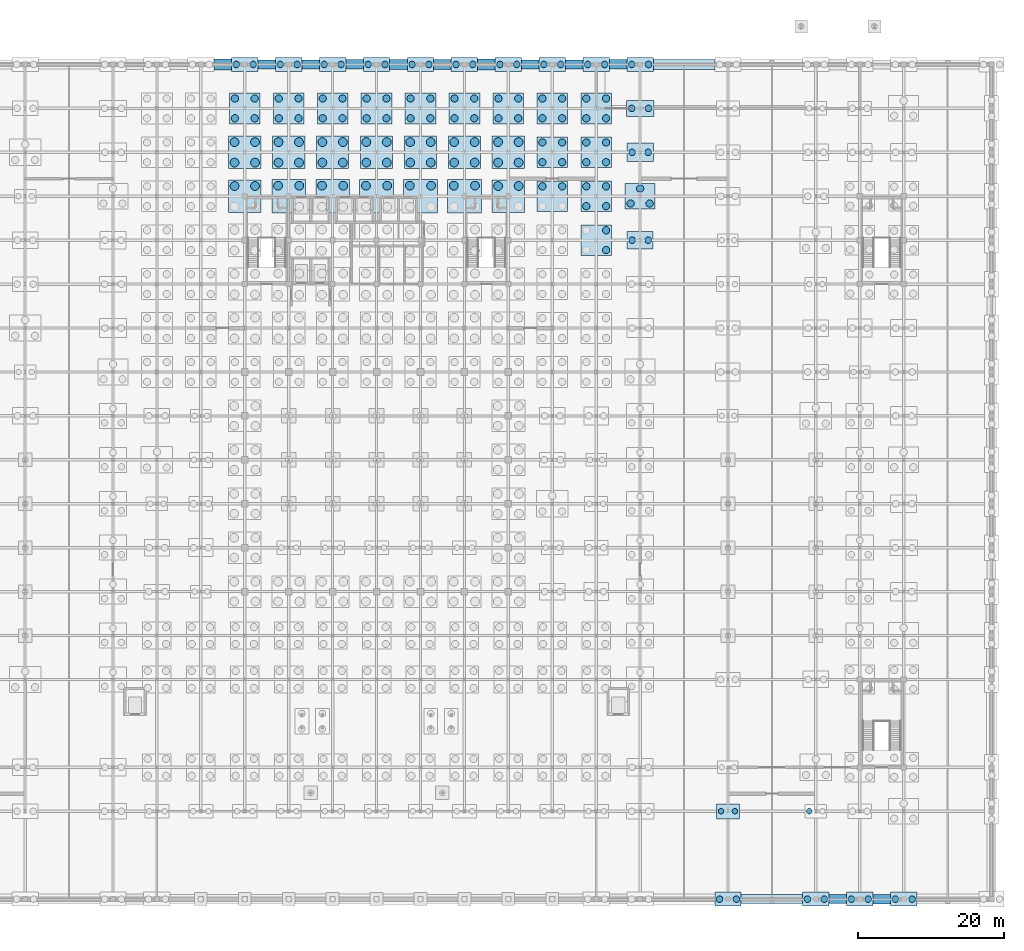
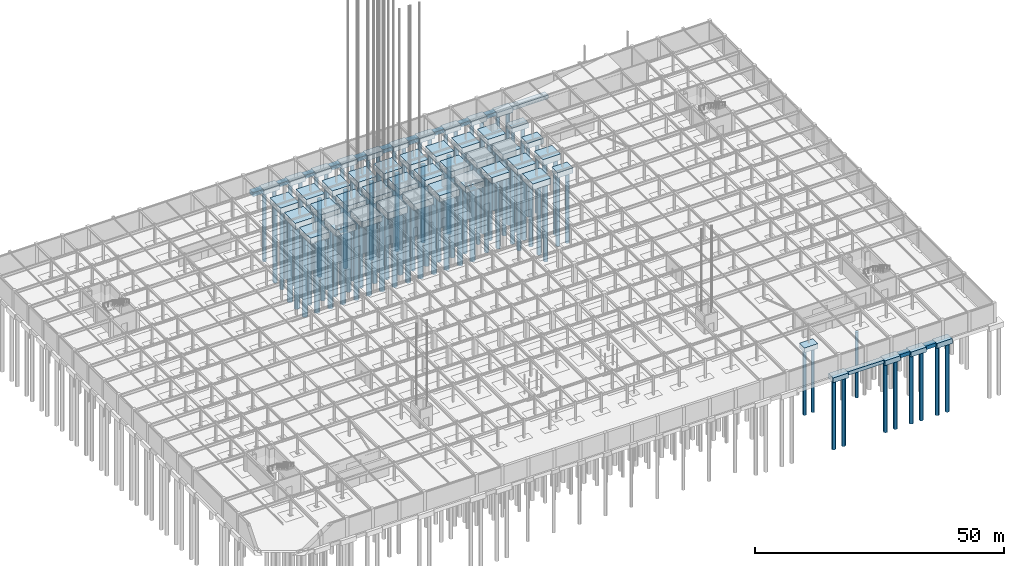
# One storey, part 8 of 69: 134 piles, 61 footings.
"""IFC4 building model written with IfcOpenShell, lengths in metres."""

from ifc_helpers import new_model, si_unit, direction, frame, origin, origin_2d, place, context, subcontext, project, spatial, rectangle, circle, extrude, material, material_profile, profile_set, type_object, element, save


model = new_model("IFC4")

# Units and contexts
model_context = context("Model", 3, precision=1e-05, world=origin(), true_north=direction((0.0, 1.0)))
body_context = subcontext(model_context, "Body", "Model", "MODEL_VIEW")
ifc_project = project(units=[si_unit("LENGTHUNIT", "METRE"), si_unit("AREAUNIT", "SQUARE_METRE"), si_unit("VOLUMEUNIT", "CUBIC_METRE"), si_unit("PLANEANGLEUNIT", "RADIAN"), si_unit("MASSUNIT", "GRAM", prefix="KILO")], contexts=[model_context])

# Site, building, storey
site_placement = place(None, origin())
site = spatial("IfcSite", under=ifc_project, at=site_placement, CompositionType="ELEMENT")
building_placement = place(site_placement, origin())
building = spatial("IfcBuilding", under=site, at=building_placement, Name="Zlatovratsky Civic Hall", CompositionType="ELEMENT")
storey_placement = place(building_placement, frame((0.0, 0.0, -4.800048828125)))
storey = spatial("IfcBuildingStorey", under=building, at=storey_placement, Name="B1", CompositionType="ELEMENT", Elevation=-4.800048828125)

# Footings
ifc_material = material(Name="Concrete C25/30 (B30)", Category="concrete")
footing_type_1 = type_object("IfcFootingType", Name="Footing_Cap2_Boulevard_3550x2350x1300", PredefinedType="PILE_CAP", material=ifc_material)
footing_1_placement = place(storey_placement, frame((120.0, 90.0, -1.2998046875), z_axis=(0.0, 0.0, 1.0), x_axis=(1.0, 0.0, 0.0)))
element("IfcFooting", 1, at=footing_1_placement, inside=storey, type_object=footing_type_1, Name="FD-317", PredefinedType="PILE_CAP", context=body_context, shape_type="SweptSolid", body=[
    extrude(rectangle(XDim=3.550048828125, YDim=2.35009765625, at=origin_2d()), origin(), (0.0, 0.0, 1.0), 1.300048828125),
])
footing_type_2 = type_object("IfcFootingType", Name="Footing_Cap2_Galleria_3150x2050x1150", PredefinedType="PILE_CAP", material=ifc_material)
footing_2_placement = place(storey_placement, frame((132.0, 12.0, -1.14990234375), z_axis=(0.0, 0.0, 1.0), x_axis=(1.0, 0.0, 0.0)))
element("IfcFooting", 2, at=footing_2_placement, inside=storey, type_object=footing_type_2, Name="FD-042", PredefinedType="PILE_CAP", context=body_context, shape_type="SweptSolid", body=[
    extrude(rectangle(XDim=3.14990234375, YDim=2.050048828125, at=origin_2d()), origin(), (0.0, 0.0, 1.0), 1.14990234375),
])
footing_type_3 = type_object("IfcFootingType", Name="Footing_Cap2_LibraryE_3650x2550x1300", PredefinedType="PILE_CAP", material=ifc_material)
footing_3_placement = place(storey_placement, frame((120.0, 102.0, -1.2998046875), z_axis=(0.0, 0.0, 1.0), x_axis=(1.0, 0.0, 0.0)))
element("IfcFooting", 3, at=footing_3_placement, inside=storey, type_object=footing_type_3, Name="FD-363", PredefinedType="PILE_CAP", context=body_context, shape_type="SweptSolid", body=[
    extrude(rectangle(XDim=3.64990234375, YDim=2.550048828125, at=origin_2d()), origin(), (0.0, 0.0, 1.0), 1.300048828125),
])
footing_type_4 = type_object("IfcFootingType", Name="Footing_Cap2_ServiceE_3750x2150x1250", PredefinedType="PILE_CAP", material=ifc_material)
footing_4_placement = place(storey_placement, frame((120.0, 108.0, -1.25), z_axis=(0.0, 0.0, 1.0), x_axis=(1.0, 0.0, 0.0)))
element("IfcFooting", 4, at=footing_4_placement, inside=storey, type_object=footing_type_4, Name="FD-386", PredefinedType="PILE_CAP", context=body_context, shape_type="SweptSolid", body=[
    extrude(rectangle(XDim=3.75, YDim=2.14990234375, at=origin_2d()), origin(), (0.0, 0.0, 1.0), 1.25),
])
footing_type_5 = type_object("IfcFootingType", Name="Footing_Cap2_WingEdgeX_3600x1900x1200", PredefinedType="PILE_CAP", material=ifc_material)
for number, where, z_axis, x_axis, name in (
    (5, (132.0, 0.0, -1.19970703125), (0.0, 0.0, 1.0), (1.0, 0.0, 0.0), "FD-019"),
    (6, (144.0, 0.0, -1.19970703125), (0.0, 0.0, 1.0), (1.0, 0.0, 0.0), "FD-020"),
    (7, (150.0, 0.0, -1.19970703125), (0.0, 0.0, 1.0), (1.0, 0.0, 0.0), "FD-021"),
    (8, (156.0, 0.0, -1.19970703125), (0.0, 0.0, 1.0), (1.0, 0.0, 0.0), "FD-022"),
    (9, (66.0, 114.0, -1.19970703125), (0.0, 0.0, 1.0), (1.0, 0.0, 0.0), "FD-400"),
    (10, (72.0, 114.0, -1.19970703125), (0.0, 0.0, 1.0), (1.0, 0.0, 0.0), "FD-401"),
    (11, (78.0, 114.0, -1.19970703125), (0.0, 0.0, 1.0), (1.0, 0.0, 0.0), "FD-402"),
    (12, (84.0, 114.0, -1.19970703125), (0.0, 0.0, 1.0), (1.0, 0.0, 0.0), "FD-403"),
    (13, (90.0, 114.0, -1.19970703125), (0.0, 0.0, 1.0), (1.0, 0.0, 0.0), "FD-404"),
    (14, (96.0, 114.0, -1.19970703125), (0.0, 0.0, 1.0), (1.0, 0.0, 0.0), "FD-405"),
    (15, (102.0, 114.0, -1.19970703125), (0.0, 0.0, 1.0), (1.0, 0.0, 0.0), "FD-406"),
    (16, (108.0, 114.0, -1.19970703125), (0.0, 0.0, 1.0), (1.0, 0.0, 0.0), "FD-407"),
    (17, (114.0, 114.0, -1.19970703125), (0.0, 0.0, 1.0), (1.0, 0.0, 0.0), "FD-408"),
    (18, (120.0, 114.0, -1.19970703125), (0.0, 0.0, 1.0), (1.0, 0.0, 0.0), "FD-409"),
):
    element("IfcFooting", number, at=place(storey_placement, frame(where, z_axis=z_axis, x_axis=x_axis)), inside=storey, type_object=footing_type_5, Name=name, PredefinedType="PILE_CAP", context=body_context, shape_type="SweptSolid", body=[
        extrude(rectangle(XDim=3.60009765625, YDim=1.89990234375, at=origin_2d()), origin(), (0.0, 0.0, 1.0), 1.199951171875),
    ])
footing_type_6 = type_object("IfcFootingType", Name="Footing_Cap3_TowerFlank_4100x3500x1450", PredefinedType="PILE_CAP", material=ifc_material)
footing_5_placement = place(storey_placement, frame((120.0, 96.0, -1.44970703125), z_axis=(0.0, 0.0, 1.0), x_axis=(1.0, 0.0, 0.0)))
element("IfcFooting", 19, at=footing_5_placement, inside=storey, type_object=footing_type_6, Name="FD-340", PredefinedType="PILE_CAP", context=body_context, shape_type="SweptSolid", body=[
    extrude(rectangle(XDim=4.10009765625, YDim=3.5, at=origin_2d()), origin(), (0.0, 0.0, 1.0), 1.449951171875),
])
footing_type_7 = type_object("IfcFootingType", Name="Footing_Cap4_TowerCore_4600x4600x1600", PredefinedType="PILE_CAP", material=ifc_material)
for number, where, z_axis, x_axis, name in (
    (20, (72.0, 96.0, -1.60009765625), (0.0, 0.0, 1.0), (1.0, 0.0, 0.0), "FD-332"),
    (21, (78.0, 96.0, -1.60009765625), (0.0, 0.0, 1.0), (1.0, 0.0, 0.0), "FD-333"),
    (22, (84.0, 96.0, -1.60009765625), (0.0, 0.0, 1.0), (1.0, 0.0, 0.0), "FD-334"),
    (23, (90.0, 96.0, -1.60009765625), (0.0, 0.0, 1.0), (1.0, 0.0, 0.0), "FD-335"),
    (24, (96.0, 96.0, -1.60009765625), (0.0, 0.0, 1.0), (1.0, 0.0, 0.0), "FD-336"),
):
    element("IfcFooting", number, at=place(storey_placement, frame(where, z_axis=z_axis, x_axis=x_axis)), inside=storey, type_object=footing_type_7, Name=name, PredefinedType="PILE_CAP", context=body_context, shape_type="SweptSolid", body=[
        extrude(rectangle(XDim=4.60009765625, YDim=4.60009765625, at=origin_2d()), origin(), (0.0, 0.0, 1.0), 1.60009765625),
    ])
footing_type_8 = type_object("IfcFootingType", Name="Footing_Cap4_TowerHeavy_4400x4400x1550", PredefinedType="PILE_CAP", material=ifc_material)
for number, where, z_axis, x_axis, name in (
    (25, (66.0, 96.0, -1.5498046875), (0.0, 0.0, 1.0), (1.0, 0.0, 0.0), "FD-331"),
    (26, (102.0, 96.0, -1.5498046875), (0.0, 0.0, 1.0), (1.0, 0.0, 0.0), "FD-337"),
    (27, (66.0, 102.0, -1.5498046875), (0.0, 0.0, 1.0), (1.0, 0.0, 0.0), "FD-354"),
    (28, (72.0, 102.0, -1.5498046875), (0.0, 0.0, 1.0), (1.0, 0.0, 0.0), "FD-355"),
    (29, (78.0, 102.0, -1.5498046875), (0.0, 0.0, 1.0), (1.0, 0.0, 0.0), "FD-356"),
    (30, (84.0, 102.0, -1.5498046875), (0.0, 0.0, 1.0), (1.0, 0.0, 0.0), "FD-357"),
    (31, (90.0, 102.0, -1.5498046875), (0.0, 0.0, 1.0), (1.0, 0.0, 0.0), "FD-358"),
    (32, (96.0, 102.0, -1.5498046875), (0.0, 0.0, 1.0), (1.0, 0.0, 0.0), "FD-359"),
    (33, (102.0, 102.0, -1.5498046875), (0.0, 0.0, 1.0), (1.0, 0.0, 0.0), "FD-360"),
):
    element("IfcFooting", number, at=place(storey_placement, frame(where, z_axis=z_axis, x_axis=x_axis)), inside=storey, type_object=footing_type_8, Name=name, PredefinedType="PILE_CAP", context=body_context, shape_type="SweptSolid", body=[
        extrude(rectangle(XDim=4.39990234375, YDim=4.39990234375, at=origin_2d()), origin(), (0.0, 0.0, 1.0), 1.550048828125),
    ])
footing_type_9 = type_object("IfcFootingType", Name="Footing_Cap4_TowerMid_4200x4200x1500", PredefinedType="PILE_CAP", material=ifc_material)
for number, where, z_axis, x_axis, name in (
    (34, (114.0, 90.0, -1.5), (0.0, 0.0, 1.0), (1.0, 0.0, 0.0), "FD-316"),
    (35, (108.0, 96.0, -1.5), (0.0, 0.0, 1.0), (1.0, 0.0, 0.0), "FD-338"),
    (36, (114.0, 96.0, -1.5), (0.0, 0.0, 1.0), (1.0, 0.0, 0.0), "FD-339"),
    (37, (108.0, 102.0, -1.5), (0.0, 0.0, 1.0), (1.0, 0.0, 0.0), "FD-361"),
    (38, (114.0, 102.0, -1.5), (0.0, 0.0, 1.0), (1.0, 0.0, 0.0), "FD-362"),
    (39, (66.0, 108.0, -1.5), (0.0, 0.0, 1.0), (1.0, 0.0, 0.0), "FD-377"),
    (40, (72.0, 108.0, -1.5), (0.0, 0.0, 1.0), (1.0, 0.0, 0.0), "FD-378"),
    (41, (78.0, 108.0, -1.5), (0.0, 0.0, 1.0), (1.0, 0.0, 0.0), "FD-379"),
    (42, (84.0, 108.0, -1.5), (0.0, 0.0, 1.0), (1.0, 0.0, 0.0), "FD-380"),
    (43, (90.0, 108.0, -1.5), (0.0, 0.0, 1.0), (1.0, 0.0, 0.0), "FD-381"),
    (44, (96.0, 108.0, -1.5), (0.0, 0.0, 1.0), (1.0, 0.0, 0.0), "FD-382"),
    (45, (102.0, 108.0, -1.5), (0.0, 0.0, 1.0), (1.0, 0.0, 0.0), "FD-383"),
    (46, (108.0, 108.0, -1.5), (0.0, 0.0, 1.0), (1.0, 0.0, 0.0), "FD-384"),
    (47, (114.0, 108.0, -1.5), (0.0, 0.0, 1.0), (1.0, 0.0, 0.0), "FD-385"),
):
    element("IfcFooting", number, at=place(storey_placement, frame(where, z_axis=z_axis, x_axis=x_axis)), inside=storey, type_object=footing_type_9, Name=name, PredefinedType="PILE_CAP", context=body_context, shape_type="SweptSolid", body=[
        extrude(rectangle(XDim=4.199951171875, YDim=4.199951171875, at=origin_2d()), origin(), (0.0, 0.0, 1.0), 1.5),
    ])
footing_type_10 = type_object("IfcFootingType", Name="Footing_Strip_B1_01", PredefinedType="STRIP_FOOTING", material=ifc_material)
footing_6_placement = place(storey_placement, frame((138.0, 0.0, -0.85009765625), z_axis=(0.0, 0.0, 1.0), x_axis=(1.0, 0.0, 0.0)))
element("IfcFooting", 48, at=footing_6_placement, inside=storey, type_object=footing_type_10, Name="FD-433", PredefinedType="STRIP_FOOTING", context=body_context, shape_type="SweptSolid", body=[
    extrude(rectangle(XDim=8.39990234375, YDim=1.199951171875, at=origin_2d()), origin(), (0.0, 0.0, 1.0), 0.85009765625),
])
for number, where, z_axis, x_axis, name in (
    (49, (69.0, 114.0, -0.85009765625), (0.0, 0.0, 1.0), (1.0, 0.0, 0.0), "FD-445"),
    (50, (105.0, 114.0, -0.85009765625), (0.0, 0.0, 1.0), (1.0, 0.0, 0.0), "FD-451"),
):
    element("IfcFooting", number, at=place(storey_placement, frame(where, z_axis=z_axis, x_axis=x_axis)), inside=storey, type_object=footing_type_10, Name=name, PredefinedType="STRIP_FOOTING", context=body_context, shape_type="SweptSolid", body=[
        extrude(rectangle(XDim=2.39990234375, YDim=1.199951171875, at=origin_2d()), origin(), (0.0, 0.0, 1.0), 0.85009765625),
    ])
footing_type_11 = type_object("IfcFootingType", Name="Footing_Strip_B1_02", PredefinedType="STRIP_FOOTING", material=ifc_material)
for number, where, z_axis, x_axis, name in (
    (51, (147.0, 0.0, -0.85009765625), (0.0, 0.0, 1.0), (1.0, 0.0, 0.0), "FD-434"),
    (52, (75.0, 114.0, -0.85009765625), (0.0, 0.0, 1.0), (1.0, 0.0, 0.0), "FD-446"),
    (53, (111.0, 114.0, -0.85009765625), (0.0, 0.0, 1.0), (1.0, 0.0, 0.0), "FD-452"),
):
    element("IfcFooting", number, at=place(storey_placement, frame(where, z_axis=z_axis, x_axis=x_axis)), inside=storey, type_object=footing_type_11, Name=name, PredefinedType="STRIP_FOOTING", context=body_context, shape_type="SweptSolid", body=[
        extrude(rectangle(XDim=2.39990234375, YDim=1.25, at=origin_2d()), origin(), (0.0, 0.0, 1.0), 0.85009765625),
    ])
footing_type_12 = type_object("IfcFootingType", Name="Footing_Strip_B1_03", PredefinedType="STRIP_FOOTING", material=ifc_material)
for number, where, z_axis, x_axis, name in (
    (54, (153.0, 0.0, -0.89990234375), (0.0, 0.0, 1.0), (1.0, 0.0, 0.0), "FD-435"),
    (55, (81.0, 114.0, -0.89990234375), (0.0, 0.0, 1.0), (1.0, 0.0, 0.0), "FD-447"),
    (56, (117.0, 114.0, -0.89990234375), (0.0, 0.0, 1.0), (1.0, 0.0, 0.0), "FD-453"),
):
    element("IfcFooting", number, at=place(storey_placement, frame(where, z_axis=z_axis, x_axis=x_axis)), inside=storey, type_object=footing_type_12, Name=name, PredefinedType="STRIP_FOOTING", context=body_context, shape_type="SweptSolid", body=[
        extrude(rectangle(XDim=2.39990234375, YDim=1.300048828125, at=origin_2d()), origin(), (0.0, 0.0, 1.0), 0.89990234375),
    ])
footing_type_13 = type_object("IfcFootingType", Name="Footing_Strip_B1_04", PredefinedType="STRIP_FOOTING", material=ifc_material)
footing_7_placement = place(storey_placement, frame((87.0, 114.0, -0.89990234375), z_axis=(0.0, 0.0, 1.0), x_axis=(1.0, 0.0, 0.0)))
element("IfcFooting", 57, at=footing_7_placement, inside=storey, type_object=footing_type_13, Name="FD-448", PredefinedType="STRIP_FOOTING", context=body_context, shape_type="SweptSolid", body=[
    extrude(rectangle(XDim=2.39990234375, YDim=1.35009765625, at=origin_2d()), origin(), (0.0, 0.0, 1.0), 0.89990234375),
])
footing_8_placement = place(storey_placement, frame((126.0, 114.0, -0.89990234375), z_axis=(0.0, 0.0, 1.0), x_axis=(1.0, 0.0, 0.0)))
element("IfcFooting", 58, at=footing_8_placement, inside=storey, type_object=footing_type_13, Name="FD-454", PredefinedType="STRIP_FOOTING", context=body_context, shape_type="SweptSolid", body=[
    extrude(rectangle(XDim=8.39990234375, YDim=1.35009765625, at=origin_2d()), origin(), (0.0, 0.0, 1.0), 0.89990234375),
])
footing_type_14 = type_object("IfcFootingType", Name="Footing_Strip_B1_05", PredefinedType="STRIP_FOOTING", material=ifc_material)
footing_9_placement = place(storey_placement, frame((93.0, 114.0, -0.94970703125), z_axis=(0.0, 0.0, 1.0), x_axis=(1.0, 0.0, 0.0)))
element("IfcFooting", 59, at=footing_9_placement, inside=storey, type_object=footing_type_14, Name="FD-449", PredefinedType="STRIP_FOOTING", context=body_context, shape_type="SweptSolid", body=[
    extrude(rectangle(XDim=2.39990234375, YDim=1.39990234375, at=origin_2d()), origin(), (0.0, 0.0, 1.0), 0.949951171875),
])
footing_type_15 = type_object("IfcFootingType", Name="Footing_Strip_B1_06", PredefinedType="STRIP_FOOTING", material=ifc_material)
for number, where, z_axis, x_axis, name in (
    (60, (63.0, 114.0, -0.94970703125), (0.0, 0.0, 1.0), (1.0, 0.0, 0.0), "FD-444"),
    (61, (99.0, 114.0, -0.94970703125), (0.0, 0.0, 1.0), (1.0, 0.0, 0.0), "FD-450"),
):
    element("IfcFooting", number, at=place(storey_placement, frame(where, z_axis=z_axis, x_axis=x_axis)), inside=storey, type_object=footing_type_15, Name=name, PredefinedType="STRIP_FOOTING", context=body_context, shape_type="SweptSolid", body=[
        extrude(rectangle(XDim=2.39990234375, YDim=1.449951171875, at=origin_2d()), origin(), (0.0, 0.0, 1.0), 0.949951171875),
    ])

# Piles
ifc_material_profile_1 = material_profile(ifc_material, circle(Radius=0.5, at=origin_2d()), Name="PILE D1000")
ifc_profile_set_1 = profile_set([ifc_material_profile_1], Name="Concrete C25/30 (B30)")
pile_type_1 = type_object("IfcPileType", Name="Pile_Bored_D1000", PredefinedType="BORED", material=ifc_profile_set_1)
for number, where, z_axis, x_axis, name in (
    (62, (115.35009765625, 88.64990234375, -1.39990234375), (0.0, 0.0, -1.0), (1.0, 0.0, 0.0), "PL-0839"),
    (63, (115.35009765625, 91.35009765625, -1.39990234375), (0.0, 0.0, -1.0), (1.0, 0.0, 0.0), "PL-0841"),
    (64, (106.64990234375, 97.35009765625, -1.39990234375), (0.0, 0.0, -1.0), (1.0, 0.0, 0.0), "PL-0914"),
    (65, (109.35009765625, 97.35009765625, -1.39990234375), (0.0, 0.0, -1.0), (1.0, 0.0, 0.0), "PL-0915"),
    (66, (112.64990234375, 94.64990234375, -1.39990234375), (0.0, 0.0, -1.0), (1.0, 0.0, 0.0), "PL-0916"),
    (67, (115.35009765625, 94.64990234375, -1.39990234375), (0.0, 0.0, -1.0), (1.0, 0.0, 0.0), "PL-0917"),
    (68, (112.64990234375, 97.35009765625, -1.39990234375), (0.0, 0.0, -1.0), (1.0, 0.0, 0.0), "PL-0918"),
    (69, (115.35009765625, 97.35009765625, -1.39990234375), (0.0, 0.0, -1.0), (1.0, 0.0, 0.0), "PL-0919"),
):
    element("IfcPile", number, at=place(storey_placement, frame(where, z_axis=z_axis, x_axis=x_axis)), inside=storey, type_object=pile_type_1, Name=name, PredefinedType="BORED", context=body_context, shape_type="SweptSolid", body=[
        extrude(circle(Radius=0.5, at=origin_2d()), origin(), (0.0, 0.0, 1.0), 19.0),
    ])
for number, where, z_axis, x_axis, name in (
    (70, (118.699951171875, 95.0, -1.349853515625), (0.0, 0.0, -1.0), (1.0, 0.0, 0.0), "PL-0920"),
    (71, (121.300048828125, 95.0, -1.349853515625), (0.0, 0.0, -1.0), (1.0, 0.0, 0.0), "PL-0921"),
    (72, (120.0, 97.050048828125, -1.349853515625), (0.0, 0.0, -1.0), (1.0, 0.0, 0.0), "PL-0922"),
):
    element("IfcPile", number, at=place(storey_placement, frame(where, z_axis=z_axis, x_axis=x_axis)), inside=storey, type_object=pile_type_1, Name=name, PredefinedType="BORED", context=body_context, shape_type="SweptSolid", body=[
        extrude(circle(Radius=0.5, at=origin_2d()), origin(), (0.0, 0.0, 1.0), 18.5),
    ])
for number, where, z_axis, x_axis, name in (
    (73, (106.64990234375, 100.64990234375, -1.39990234375), (0.0, 0.0, -1.0), (1.0, 0.0, 0.0), "PL-0986"),
    (74, (109.35009765625, 100.64990234375, -1.39990234375), (0.0, 0.0, -1.0), (1.0, 0.0, 0.0), "PL-0987"),
    (75, (106.64990234375, 103.35009765625, -1.39990234375), (0.0, 0.0, -1.0), (1.0, 0.0, 0.0), "PL-0988"),
    (76, (109.35009765625, 103.35009765625, -1.39990234375), (0.0, 0.0, -1.0), (1.0, 0.0, 0.0), "PL-0989"),
    (77, (112.64990234375, 100.64990234375, -1.39990234375), (0.0, 0.0, -1.0), (1.0, 0.0, 0.0), "PL-0990"),
    (78, (115.35009765625, 100.64990234375, -1.39990234375), (0.0, 0.0, -1.0), (1.0, 0.0, 0.0), "PL-0991"),
    (79, (112.64990234375, 103.35009765625, -1.39990234375), (0.0, 0.0, -1.0), (1.0, 0.0, 0.0), "PL-0992"),
    (80, (115.35009765625, 103.35009765625, -1.39990234375), (0.0, 0.0, -1.0), (1.0, 0.0, 0.0), "PL-0993"),
    (81, (64.64990234375, 106.64990234375, -1.39990234375), (0.0, 0.0, -1.0), (1.0, 0.0, 0.0), "PL-1027"),
    (82, (67.35009765625, 106.64990234375, -1.39990234375), (0.0, 0.0, -1.0), (1.0, 0.0, 0.0), "PL-1028"),
    (83, (64.64990234375, 109.35009765625, -1.39990234375), (0.0, 0.0, -1.0), (1.0, 0.0, 0.0), "PL-1029"),
    (84, (67.35009765625, 109.35009765625, -1.39990234375), (0.0, 0.0, -1.0), (1.0, 0.0, 0.0), "PL-1030"),
    (85, (70.64990234375, 106.64990234375, -1.39990234375), (0.0, 0.0, -1.0), (1.0, 0.0, 0.0), "PL-1031"),
    (86, (73.35009765625, 106.64990234375, -1.39990234375), (0.0, 0.0, -1.0), (1.0, 0.0, 0.0), "PL-1032"),
    (87, (70.64990234375, 109.35009765625, -1.39990234375), (0.0, 0.0, -1.0), (1.0, 0.0, 0.0), "PL-1033"),
    (88, (73.35009765625, 109.35009765625, -1.39990234375), (0.0, 0.0, -1.0), (1.0, 0.0, 0.0), "PL-1034"),
    (89, (76.64990234375, 106.64990234375, -1.39990234375), (0.0, 0.0, -1.0), (1.0, 0.0, 0.0), "PL-1035"),
    (90, (79.35009765625, 106.64990234375, -1.39990234375), (0.0, 0.0, -1.0), (1.0, 0.0, 0.0), "PL-1036"),
    (91, (76.64990234375, 109.35009765625, -1.39990234375), (0.0, 0.0, -1.0), (1.0, 0.0, 0.0), "PL-1037"),
    (92, (79.35009765625, 109.35009765625, -1.39990234375), (0.0, 0.0, -1.0), (1.0, 0.0, 0.0), "PL-1038"),
    (93, (82.64990234375, 106.64990234375, -1.39990234375), (0.0, 0.0, -1.0), (1.0, 0.0, 0.0), "PL-1039"),
    (94, (85.35009765625, 106.64990234375, -1.39990234375), (0.0, 0.0, -1.0), (1.0, 0.0, 0.0), "PL-1040"),
    (95, (82.64990234375, 109.35009765625, -1.39990234375), (0.0, 0.0, -1.0), (1.0, 0.0, 0.0), "PL-1041"),
    (96, (85.35009765625, 109.35009765625, -1.39990234375), (0.0, 0.0, -1.0), (1.0, 0.0, 0.0), "PL-1042"),
    (97, (88.64990234375, 106.64990234375, -1.39990234375), (0.0, 0.0, -1.0), (1.0, 0.0, 0.0), "PL-1043"),
    (98, (91.35009765625, 106.64990234375, -1.39990234375), (0.0, 0.0, -1.0), (1.0, 0.0, 0.0), "PL-1044"),
    (99, (88.64990234375, 109.35009765625, -1.39990234375), (0.0, 0.0, -1.0), (1.0, 0.0, 0.0), "PL-1045"),
    (100, (91.35009765625, 109.35009765625, -1.39990234375), (0.0, 0.0, -1.0), (1.0, 0.0, 0.0), "PL-1046"),
    (101, (94.64990234375, 106.64990234375, -1.39990234375), (0.0, 0.0, -1.0), (1.0, 0.0, 0.0), "PL-1047"),
    (102, (97.35009765625, 106.64990234375, -1.39990234375), (0.0, 0.0, -1.0), (1.0, 0.0, 0.0), "PL-1048"),
    (103, (94.64990234375, 109.35009765625, -1.39990234375), (0.0, 0.0, -1.0), (1.0, 0.0, 0.0), "PL-1049"),
    (104, (97.35009765625, 109.35009765625, -1.39990234375), (0.0, 0.0, -1.0), (1.0, 0.0, 0.0), "PL-1050"),
    (105, (100.64990234375, 106.64990234375, -1.39990234375), (0.0, 0.0, -1.0), (1.0, 0.0, 0.0), "PL-1051"),
    (106, (103.35009765625, 106.64990234375, -1.39990234375), (0.0, 0.0, -1.0), (1.0, 0.0, 0.0), "PL-1052"),
    (107, (100.64990234375, 109.35009765625, -1.39990234375), (0.0, 0.0, -1.0), (1.0, 0.0, 0.0), "PL-1053"),
    (108, (103.35009765625, 109.35009765625, -1.39990234375), (0.0, 0.0, -1.0), (1.0, 0.0, 0.0), "PL-1054"),
    (109, (106.64990234375, 106.64990234375, -1.39990234375), (0.0, 0.0, -1.0), (1.0, 0.0, 0.0), "PL-1055"),
    (110, (109.35009765625, 106.64990234375, -1.39990234375), (0.0, 0.0, -1.0), (1.0, 0.0, 0.0), "PL-1056"),
    (111, (106.64990234375, 109.35009765625, -1.39990234375), (0.0, 0.0, -1.0), (1.0, 0.0, 0.0), "PL-1057"),
    (112, (109.35009765625, 109.35009765625, -1.39990234375), (0.0, 0.0, -1.0), (1.0, 0.0, 0.0), "PL-1058"),
    (113, (112.64990234375, 106.64990234375, -1.39990234375), (0.0, 0.0, -1.0), (1.0, 0.0, 0.0), "PL-1059"),
    (114, (115.35009765625, 106.64990234375, -1.39990234375), (0.0, 0.0, -1.0), (1.0, 0.0, 0.0), "PL-1060"),
    (115, (112.64990234375, 109.35009765625, -1.39990234375), (0.0, 0.0, -1.0), (1.0, 0.0, 0.0), "PL-1061"),
    (116, (115.35009765625, 109.35009765625, -1.39990234375), (0.0, 0.0, -1.0), (1.0, 0.0, 0.0), "PL-1062"),
):
    element("IfcPile", number, at=place(storey_placement, frame(where, z_axis=z_axis, x_axis=x_axis)), inside=storey, type_object=pile_type_1, Name=name, PredefinedType="BORED", context=body_context, shape_type="SweptSolid", body=[
        extrude(circle(Radius=0.5, at=origin_2d()), origin(), (0.0, 0.0, 1.0), 19.0),
    ])
ifc_material_profile_2 = material_profile(ifc_material, circle(Radius=0.60009765625, at=origin_2d()), Name="PILE D1200")
ifc_profile_set_2 = profile_set([ifc_material_profile_2], Name="Concrete C25/30 (B30)")
pile_type_2 = type_object("IfcPileType", Name="Pile_Bored_D1200", PredefinedType="BORED", material=ifc_profile_set_2)
for number, where, z_axis, x_axis, name in (
    (117, (64.60009765625, 97.39990234375, -1.449951171875), (0.0, 0.0, -1.0), (1.0, 0.0, 0.0), "PL-0886"),
    (118, (67.39990234375, 97.39990234375, -1.449951171875), (0.0, 0.0, -1.0), (1.0, 0.0, 0.0), "PL-0887"),
    (119, (70.550048828125, 97.449951171875, -1.5), (0.0, 0.0, -1.0), (1.0, 0.0, 0.0), "PL-0890"),
    (120, (73.449951171875, 97.449951171875, -1.5), (0.0, 0.0, -1.0), (1.0, 0.0, 0.0), "PL-0891"),
    (121, (76.550048828125, 97.449951171875, -1.5), (0.0, 0.0, -1.0), (1.0, 0.0, 0.0), "PL-0894"),
    (122, (79.449951171875, 97.449951171875, -1.5), (0.0, 0.0, -1.0), (1.0, 0.0, 0.0), "PL-0895"),
    (123, (82.550048828125, 97.449951171875, -1.5), (0.0, 0.0, -1.0), (1.0, 0.0, 0.0), "PL-0898"),
    (124, (85.449951171875, 97.449951171875, -1.5), (0.0, 0.0, -1.0), (1.0, 0.0, 0.0), "PL-0899"),
    (125, (88.550048828125, 97.449951171875, -1.5), (0.0, 0.0, -1.0), (1.0, 0.0, 0.0), "PL-0902"),
    (126, (91.449951171875, 97.449951171875, -1.5), (0.0, 0.0, -1.0), (1.0, 0.0, 0.0), "PL-0903"),
    (127, (94.550048828125, 97.449951171875, -1.5), (0.0, 0.0, -1.0), (1.0, 0.0, 0.0), "PL-0906"),
    (128, (97.449951171875, 97.449951171875, -1.5), (0.0, 0.0, -1.0), (1.0, 0.0, 0.0), "PL-0907"),
    (129, (100.60009765625, 97.39990234375, -1.449951171875), (0.0, 0.0, -1.0), (1.0, 0.0, 0.0), "PL-0910"),
    (130, (103.39990234375, 97.39990234375, -1.449951171875), (0.0, 0.0, -1.0), (1.0, 0.0, 0.0), "PL-0911"),
    (131, (64.60009765625, 100.60009765625, -1.449951171875), (0.0, 0.0, -1.0), (1.0, 0.0, 0.0), "PL-0958"),
    (132, (67.39990234375, 100.60009765625, -1.449951171875), (0.0, 0.0, -1.0), (1.0, 0.0, 0.0), "PL-0959"),
    (133, (64.60009765625, 103.39990234375, -1.449951171875), (0.0, 0.0, -1.0), (1.0, 0.0, 0.0), "PL-0960"),
    (134, (67.39990234375, 103.39990234375, -1.449951171875), (0.0, 0.0, -1.0), (1.0, 0.0, 0.0), "PL-0961"),
    (135, (70.60009765625, 100.60009765625, -1.449951171875), (0.0, 0.0, -1.0), (1.0, 0.0, 0.0), "PL-0962"),
    (136, (73.39990234375, 100.60009765625, -1.449951171875), (0.0, 0.0, -1.0), (1.0, 0.0, 0.0), "PL-0963"),
    (137, (70.60009765625, 103.39990234375, -1.449951171875), (0.0, 0.0, -1.0), (1.0, 0.0, 0.0), "PL-0964"),
    (138, (73.39990234375, 103.39990234375, -1.449951171875), (0.0, 0.0, -1.0), (1.0, 0.0, 0.0), "PL-0965"),
    (139, (76.60009765625, 100.60009765625, -1.449951171875), (0.0, 0.0, -1.0), (1.0, 0.0, 0.0), "PL-0966"),
    (140, (79.39990234375, 100.60009765625, -1.449951171875), (0.0, 0.0, -1.0), (1.0, 0.0, 0.0), "PL-0967"),
    (141, (76.60009765625, 103.39990234375, -1.449951171875), (0.0, 0.0, -1.0), (1.0, 0.0, 0.0), "PL-0968"),
    (142, (79.39990234375, 103.39990234375, -1.449951171875), (0.0, 0.0, -1.0), (1.0, 0.0, 0.0), "PL-0969"),
    (143, (82.60009765625, 100.60009765625, -1.449951171875), (0.0, 0.0, -1.0), (1.0, 0.0, 0.0), "PL-0970"),
    (144, (85.39990234375, 100.60009765625, -1.449951171875), (0.0, 0.0, -1.0), (1.0, 0.0, 0.0), "PL-0971"),
    (145, (82.60009765625, 103.39990234375, -1.449951171875), (0.0, 0.0, -1.0), (1.0, 0.0, 0.0), "PL-0972"),
    (146, (85.39990234375, 103.39990234375, -1.449951171875), (0.0, 0.0, -1.0), (1.0, 0.0, 0.0), "PL-0973"),
    (147, (88.60009765625, 100.60009765625, -1.449951171875), (0.0, 0.0, -1.0), (1.0, 0.0, 0.0), "PL-0974"),
    (148, (91.39990234375, 100.60009765625, -1.449951171875), (0.0, 0.0, -1.0), (1.0, 0.0, 0.0), "PL-0975"),
    (149, (88.60009765625, 103.39990234375, -1.449951171875), (0.0, 0.0, -1.0), (1.0, 0.0, 0.0), "PL-0976"),
    (150, (91.39990234375, 103.39990234375, -1.449951171875), (0.0, 0.0, -1.0), (1.0, 0.0, 0.0), "PL-0977"),
    (151, (94.60009765625, 100.60009765625, -1.449951171875), (0.0, 0.0, -1.0), (1.0, 0.0, 0.0), "PL-0978"),
    (152, (97.39990234375, 100.60009765625, -1.449951171875), (0.0, 0.0, -1.0), (1.0, 0.0, 0.0), "PL-0979"),
    (153, (94.60009765625, 103.39990234375, -1.449951171875), (0.0, 0.0, -1.0), (1.0, 0.0, 0.0), "PL-0980"),
    (154, (97.39990234375, 103.39990234375, -1.449951171875), (0.0, 0.0, -1.0), (1.0, 0.0, 0.0), "PL-0981"),
    (155, (100.60009765625, 100.60009765625, -1.449951171875), (0.0, 0.0, -1.0), (1.0, 0.0, 0.0), "PL-0982"),
    (156, (103.39990234375, 100.60009765625, -1.449951171875), (0.0, 0.0, -1.0), (1.0, 0.0, 0.0), "PL-0983"),
    (157, (100.60009765625, 103.39990234375, -1.449951171875), (0.0, 0.0, -1.0), (1.0, 0.0, 0.0), "PL-0984"),
    (158, (103.39990234375, 103.39990234375, -1.449951171875), (0.0, 0.0, -1.0), (1.0, 0.0, 0.0), "PL-0985"),
):
    element("IfcPile", number, at=place(storey_placement, frame(where, z_axis=z_axis, x_axis=x_axis)), inside=storey, type_object=pile_type_2, Name=name, PredefinedType="BORED", context=body_context, shape_type="SweptSolid", body=[
        extrude(circle(Radius=0.60009765625, at=origin_2d()), origin(), (0.0, 0.0, 1.0), 20.0),
    ])
ifc_material_profile_3 = material_profile(ifc_material, circle(Radius=0.375, at=origin_2d()), Name="PILE D750")
ifc_profile_set_3 = profile_set([ifc_material_profile_3], Name="Concrete C25/30 (B30)")
pile_type_3 = type_object("IfcPileType", Name="Pile_Bored_D750", PredefinedType="BORED", material=ifc_profile_set_3)
for number, where, z_axis, x_axis, name in (
    (159, (131.050048828125, 12.0, -1.050048828125), (0.0, 0.0, -1.0), (1.0, 0.0, 0.0), "PL-0075"),
    (160, (132.949951171875, 12.0, -1.050048828125), (0.0, 0.0, -1.0), (1.0, 0.0, 0.0), "PL-0076"),
    (161, (143.10009765625, 12.0, -1.0), (0.0, 0.0, -1.0), (1.0, 0.0, 0.0), "PL-0077"),
):
    element("IfcPile", number, at=place(storey_placement, frame(where, z_axis=z_axis, x_axis=x_axis)), inside=storey, type_object=pile_type_3, Name=name, PredefinedType="BORED", context=body_context, shape_type="SweptSolid", body=[
        extrude(circle(Radius=0.375, at=origin_2d()), origin(), (0.0, 0.0, 1.0), 16.0),
    ])
ifc_material_profile_4 = material_profile(ifc_material, circle(Radius=0.449951171875, at=origin_2d()), Name="PILE D900")
ifc_profile_set_4 = profile_set([ifc_material_profile_4], Name="Concrete C25/30 (B30)")
pile_type_4 = type_object("IfcPileType", Name="Pile_Bored_D900", PredefinedType="BORED", material=ifc_profile_set_4)
for number, where, z_axis, x_axis, name in (
    (162, (130.85009765625, 0.0, -1.099853515625), (0.0, 0.0, -1.0), (1.0, 0.0, 0.0), "PL-0028"),
    (163, (133.14990234375, 0.0, -1.099853515625), (0.0, 0.0, -1.0), (1.0, 0.0, 0.0), "PL-0029"),
    (164, (142.85009765625, 0.0, -1.099853515625), (0.0, 0.0, -1.0), (1.0, 0.0, 0.0), "PL-0030"),
    (165, (145.14990234375, 0.0, -1.099853515625), (0.0, 0.0, -1.0), (1.0, 0.0, 0.0), "PL-0031"),
    (166, (148.85009765625, 0.0, -1.099853515625), (0.0, 0.0, -1.0), (1.0, 0.0, 0.0), "PL-0032"),
    (167, (151.14990234375, 0.0, -1.099853515625), (0.0, 0.0, -1.0), (1.0, 0.0, 0.0), "PL-0033"),
    (168, (154.85009765625, 0.0, -1.099853515625), (0.0, 0.0, -1.0), (1.0, 0.0, 0.0), "PL-0034"),
    (169, (157.14990234375, 0.0, -1.099853515625), (0.0, 0.0, -1.0), (1.0, 0.0, 0.0), "PL-0035"),
):
    element("IfcPile", number, at=place(storey_placement, frame(where, z_axis=z_axis, x_axis=x_axis)), inside=storey, type_object=pile_type_4, Name=name, PredefinedType="BORED", context=body_context, shape_type="SweptSolid", body=[
        extrude(circle(Radius=0.449951171875, at=origin_2d()), origin(), (0.0, 0.0, 1.0), 17.0),
    ])
for number, where, z_axis, x_axis, name in (
    (170, (118.89990234375, 90.0, -1.199951171875), (0.0, 0.0, -1.0), (1.0, 0.0, 0.0), "PL-0842"),
    (171, (121.10009765625, 90.0, -1.199951171875), (0.0, 0.0, -1.0), (1.0, 0.0, 0.0), "PL-0843"),
    (172, (118.89990234375, 102.0, -1.199951171875), (0.0, 0.0, -1.0), (1.0, 0.0, 0.0), "PL-0994"),
    (173, (121.10009765625, 102.0, -1.199951171875), (0.0, 0.0, -1.0), (1.0, 0.0, 0.0), "PL-0995"),
    (174, (118.85009765625, 108.0, -1.14990234375), (0.0, 0.0, -1.0), (1.0, 0.0, 0.0), "PL-1063"),
    (175, (121.14990234375, 108.0, -1.14990234375), (0.0, 0.0, -1.0), (1.0, 0.0, 0.0), "PL-1064"),
):
    element("IfcPile", number, at=place(storey_placement, frame(where, z_axis=z_axis, x_axis=x_axis)), inside=storey, type_object=pile_type_4, Name=name, PredefinedType="BORED", context=body_context, shape_type="SweptSolid", body=[
        extrude(circle(Radius=0.449951171875, at=origin_2d()), origin(), (0.0, 0.0, 1.0), 17.5),
    ])
for number, where, z_axis, x_axis, name in (
    (176, (64.85009765625, 114.0, -1.099853515625), (0.0, 0.0, -1.0), (1.0, 0.0, 0.0), "PL-1092"),
    (177, (67.14990234375, 114.0, -1.099853515625), (0.0, 0.0, -1.0), (1.0, 0.0, 0.0), "PL-1093"),
    (178, (70.85009765625, 114.0, -1.099853515625), (0.0, 0.0, -1.0), (1.0, 0.0, 0.0), "PL-1094"),
    (179, (73.14990234375, 114.0, -1.099853515625), (0.0, 0.0, -1.0), (1.0, 0.0, 0.0), "PL-1095"),
    (180, (76.85009765625, 114.0, -1.099853515625), (0.0, 0.0, -1.0), (1.0, 0.0, 0.0), "PL-1096"),
    (181, (79.14990234375, 114.0, -1.099853515625), (0.0, 0.0, -1.0), (1.0, 0.0, 0.0), "PL-1097"),
    (182, (82.85009765625, 114.0, -1.099853515625), (0.0, 0.0, -1.0), (1.0, 0.0, 0.0), "PL-1098"),
    (183, (85.14990234375, 114.0, -1.099853515625), (0.0, 0.0, -1.0), (1.0, 0.0, 0.0), "PL-1099"),
    (184, (88.85009765625, 114.0, -1.099853515625), (0.0, 0.0, -1.0), (1.0, 0.0, 0.0), "PL-1100"),
    (185, (91.14990234375, 114.0, -1.099853515625), (0.0, 0.0, -1.0), (1.0, 0.0, 0.0), "PL-1101"),
    (186, (94.85009765625, 114.0, -1.099853515625), (0.0, 0.0, -1.0), (1.0, 0.0, 0.0), "PL-1102"),
    (187, (97.14990234375, 114.0, -1.099853515625), (0.0, 0.0, -1.0), (1.0, 0.0, 0.0), "PL-1103"),
    (188, (100.85009765625, 114.0, -1.099853515625), (0.0, 0.0, -1.0), (1.0, 0.0, 0.0), "PL-1104"),
    (189, (103.14990234375, 114.0, -1.099853515625), (0.0, 0.0, -1.0), (1.0, 0.0, 0.0), "PL-1105"),
    (190, (106.85009765625, 114.0, -1.099853515625), (0.0, 0.0, -1.0), (1.0, 0.0, 0.0), "PL-1106"),
    (191, (109.14990234375, 114.0, -1.099853515625), (0.0, 0.0, -1.0), (1.0, 0.0, 0.0), "PL-1107"),
    (192, (112.85009765625, 114.0, -1.099853515625), (0.0, 0.0, -1.0), (1.0, 0.0, 0.0), "PL-1108"),
    (193, (115.14990234375, 114.0, -1.099853515625), (0.0, 0.0, -1.0), (1.0, 0.0, 0.0), "PL-1109"),
    (194, (118.85009765625, 114.0, -1.099853515625), (0.0, 0.0, -1.0), (1.0, 0.0, 0.0), "PL-1110"),
    (195, (121.14990234375, 114.0, -1.099853515625), (0.0, 0.0, -1.0), (1.0, 0.0, 0.0), "PL-1111"),
):
    element("IfcPile", number, at=place(storey_placement, frame(where, z_axis=z_axis, x_axis=x_axis)), inside=storey, type_object=pile_type_4, Name=name, PredefinedType="BORED", context=body_context, shape_type="SweptSolid", body=[
        extrude(circle(Radius=0.449951171875, at=origin_2d()), origin(), (0.0, 0.0, 1.0), 17.0),
    ])

save(model, "model.ifc")
